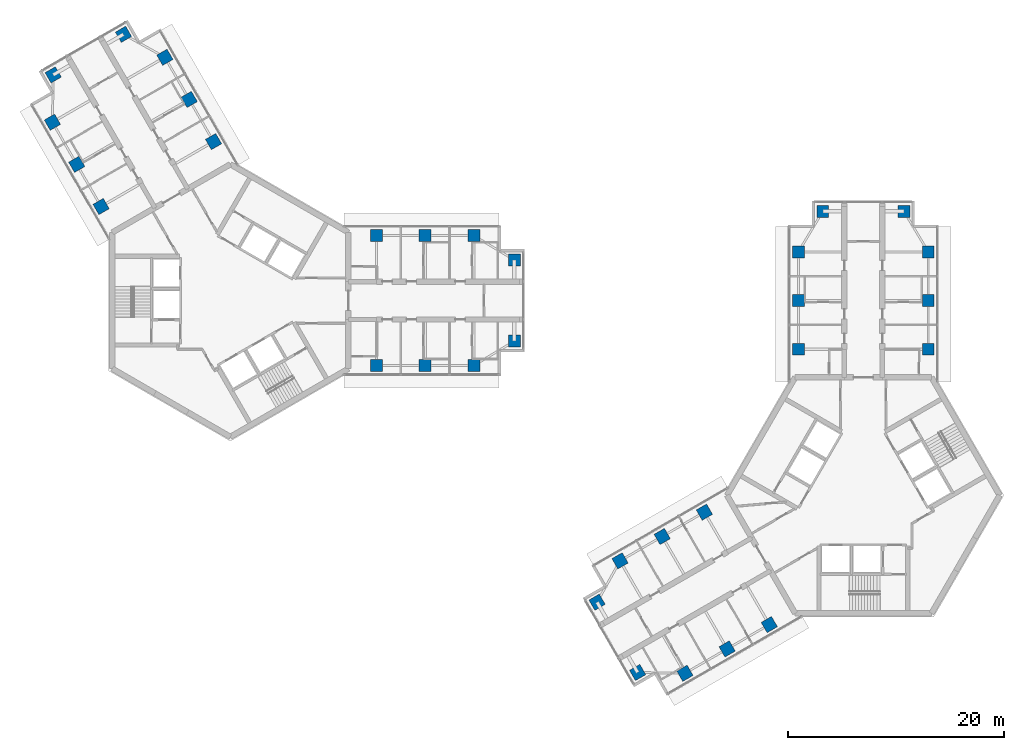
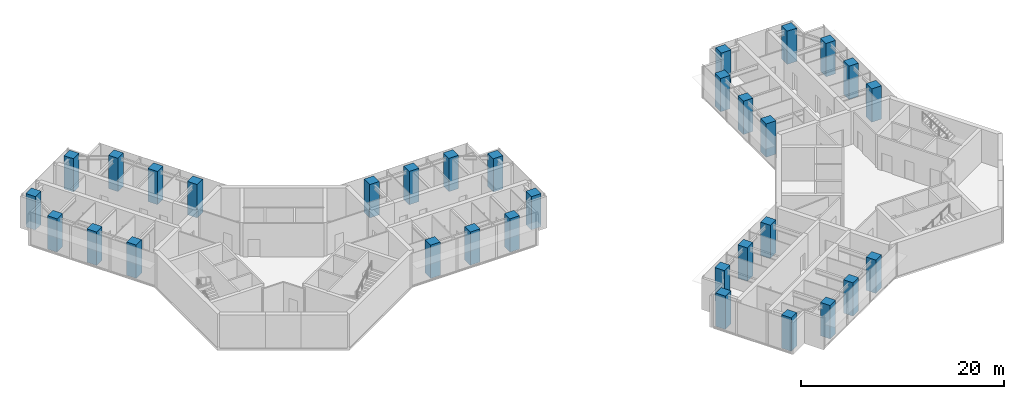
# One storey, part 1 of 17: 32 columns.
"""IFC4 building model written with IfcOpenShell, lengths in metres."""

from ifc_helpers import new_model, si_unit, direction, frame, origin, origin_2d, place, context, subcontext, project, spatial, rectangle, extrude, material, material_profile, profile_set, type_object, element, save


model = new_model("IFC4")

# Units and contexts
model_context = context("Model", 3, precision=1e-05, world=origin(), true_north=direction((0.0, 1.0)))
body_context = subcontext(model_context, "Body", "Model", "MODEL_VIEW")
ifc_project = project(units=[si_unit("LENGTHUNIT", "METRE"), si_unit("AREAUNIT", "SQUARE_METRE"), si_unit("VOLUMEUNIT", "CUBIC_METRE"), si_unit("PLANEANGLEUNIT", "RADIAN"), si_unit("MASSUNIT", "GRAM", prefix="KILO")], contexts=[model_context])

# Site, building, storey
site_placement = place(None, origin())
site = spatial("IfcSite", under=ifc_project, at=site_placement, CompositionType="ELEMENT")
building_placement = place(site_placement, origin())
building = spatial("IfcBuilding", under=site, at=building_placement, Name="Upepo Twin Towers", CompositionType="ELEMENT")
storey_placement = place(building_placement, frame((0.0, 0.0, 230.5)))
storey = spatial("IfcBuildingStorey", under=building, at=storey_placement, Name="L56", CompositionType="ELEMENT", Elevation=230.5)

# Columns
ifc_material = material(Name="Concrete C60/75", Category="concrete")
ifc_material_profile = material_profile(ifc_material, rectangle(XDim=1.10009765625, YDim=1.10009765625, at=origin_2d()), Name="RC 1100x1100")
ifc_profile_set = profile_set([ifc_material_profile], Name="Concrete C60/75")
column_type = type_object("IfcColumnType", Name="Tower column RC 1100x1100", PredefinedType="COLUMN", material=ifc_profile_set)
for number, where, z_axis, x_axis, name in (
    (1, (13.5, 6.0, 0.0), (0.0, 0.0, 1.0), (1.0, 0.0, 0.0), "T1 column AL135"),
    (2, (13.5, -6.0, 0.0), (0.0, 0.0, 1.0), (1.0, 0.0, 0.0), "T1 column AR135"),
    (3, (18.0, 6.0, 0.0), (0.0, 0.0, 1.0), (1.0, 0.0, 0.0), "T1 column AL180"),
    (4, (18.0, -6.0, 0.0), (0.0, 0.0, 1.0), (1.0, 0.0, 0.0), "T1 column AR180"),
    (5, (22.5, 6.0, 0.0), (0.0, 0.0, 1.0), (1.0, 0.0, 0.0), "T1 column AL225"),
    (6, (22.5, -6.0, 0.0), (0.0, 0.0, 1.0), (1.0, 0.0, 0.0), "T1 column AR225"),
    (7, (26.25, 3.75, 0.0), (0.0, 0.0, 1.0), (1.0, 0.0, 0.0), "T1 column ALN"),
    (8, (26.25, -3.75, 0.0), (0.0, 0.0, 1.0), (1.0, 0.0, 0.0), "T1 column ARN"),
    (9, (-11.946044921875, 8.69140625, 0.0), (0.0, 0.0, 1.0), (0.866025403784, 0.5, 0.0), "T1 column BL135"),
    (10, (-1.553955078125, 14.69140625, 0.0), (0.0, 0.0, 1.0), (0.866025403784, 0.5, 0.0), "T1 column BR135"),
    (11, (-14.196044921875, 12.58837890625, 0.0), (0.0, 0.0, 1.0), (0.866025403784, 0.5, 0.0), "T1 column BL180"),
    (12, (-3.803955078125, 18.58837890625, 0.0), (0.0, 0.0, 1.0), (0.866025403784, 0.5, 0.0), "T1 column BR180"),
    (13, (-16.446044921875, 16.485595703125, 0.0), (0.0, 0.0, 1.0), (0.866025403784, 0.5, 0.0), "T1 column BL225"),
    (14, (-6.053955078125, 22.485595703125, 0.0), (0.0, 0.0, 1.0), (0.866025403784, 0.5, 0.0), "T1 column BR225"),
    (15, (-16.37255859375, 20.858154296875, 0.0), (0.0, 0.0, 1.0), (0.866025403784, 0.5, 0.0), "T1 column BLN"),
    (16, (-9.87744140625, 24.608154296875, 0.0), (0.0, 0.0, 1.0), (0.866025403784, 0.5, 0.0), "T1 column BRN"),
    (17, (52.5, -4.5, 0.0), (0.0, 0.0, 1.0), (1.0, 0.0, 0.0), "T2 column AL135"),
    (18, (64.5, -4.5, 0.0), (0.0, 0.0, 1.0), (1.0, 0.0, 0.0), "T2 column AR135"),
    (19, (52.5, 0.0, 0.0), (0.0, 0.0, 1.0), (1.0, 0.0, 0.0), "T2 column AL180"),
    (20, (64.5, 0.0, 0.0), (0.0, 0.0, 1.0), (1.0, 0.0, 0.0), "T2 column AR180"),
    (21, (52.5, 4.5, 0.0), (0.0, 0.0, 1.0), (1.0, 0.0, 0.0), "T2 column AL225"),
    (22, (64.5, 4.5, 0.0), (0.0, 0.0, 1.0), (1.0, 0.0, 0.0), "T2 column AR225"),
    (23, (54.75, 8.25, 0.0), (0.0, 0.0, 1.0), (1.0, 0.0, 0.0), "T2 column ALN"),
    (24, (62.25, 8.25, 0.0), (0.0, 0.0, 1.0), (1.0, 0.0, 0.0), "T2 column ARN"),
    (25, (49.80859375, -29.946044921875, 0.0), (0.0, 0.0, 1.0), (0.866025403784, 0.5, 0.0), "T2 column BL135"),
    (26, (43.80859375, -19.553955078125, 0.0), (0.0, 0.0, 1.0), (0.866025403784, 0.5, 0.0), "T2 column BR135"),
    (27, (45.91162109375, -32.196044921875, 0.0), (0.0, 0.0, 1.0), (0.866025403784, 0.5, 0.0), "T2 column BL180"),
    (28, (39.91162109375, -21.803955078125, 0.0), (0.0, 0.0, 1.0), (0.866025403784, 0.5, 0.0), "T2 column BR180"),
    (29, (42.014404296875, -34.446044921875, 0.0), (0.0, 0.0, 1.0), (0.866025403784, 0.5, 0.0), "T2 column BL225"),
    (30, (36.014404296875, -24.053955078125, 0.0), (0.0, 0.0, 1.0), (0.866025403784, 0.5, 0.0), "T2 column BR225"),
    (31, (37.641845703125, -34.37255859375, 0.0), (0.0, 0.0, 1.0), (0.866025403784, 0.5, 0.0), "T2 column BLN"),
    (32, (33.891845703125, -27.87744140625, 0.0), (0.0, 0.0, 1.0), (0.866025403784, 0.5, 0.0), "T2 column BRN"),
):
    element("IfcColumn", number, at=place(storey_placement, frame(where, z_axis=z_axis, x_axis=x_axis)), inside=storey, type_object=column_type, Name=name, PredefinedType="COLUMN", context=body_context, shape_type="SweptSolid", body=[
        extrude(rectangle(XDim=1.10009765625, YDim=1.10009765625, at=origin_2d()), origin(), (0.0, 0.0, 1.0), 4.0),
    ])

save(model, "model.ifc")
